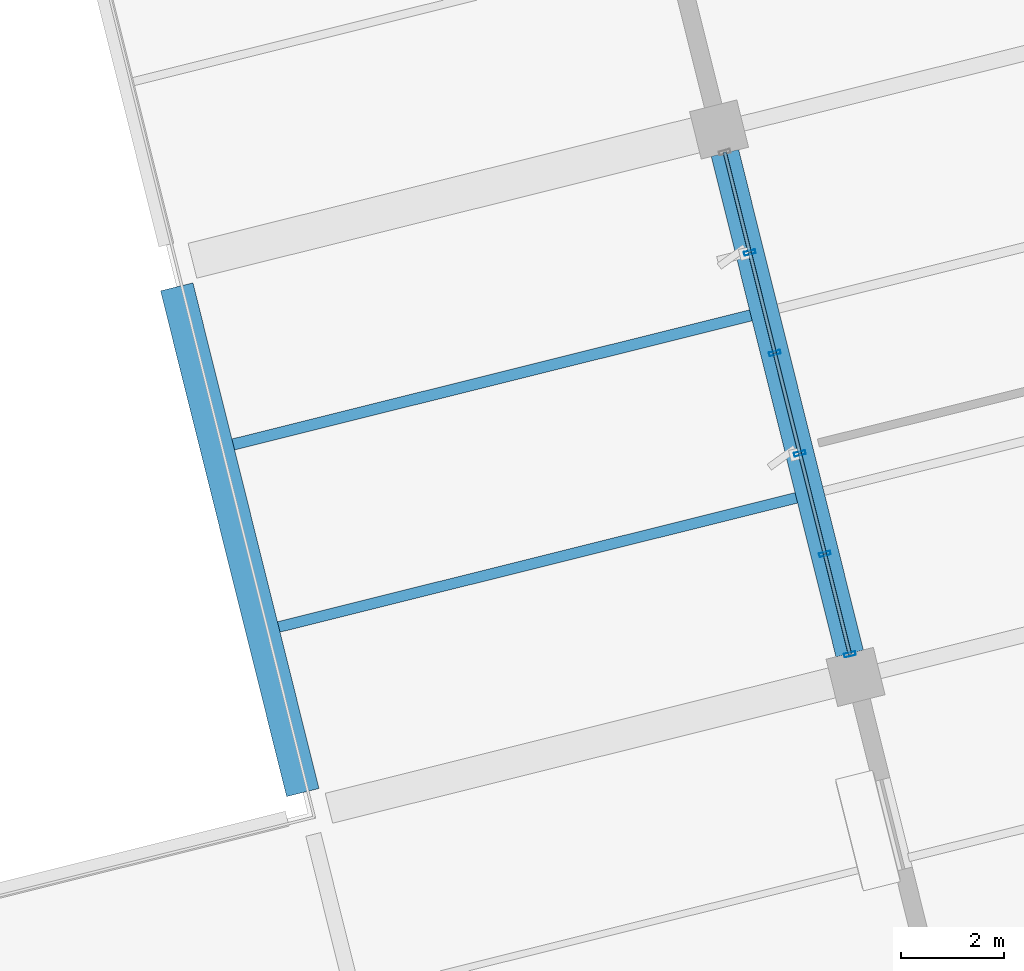
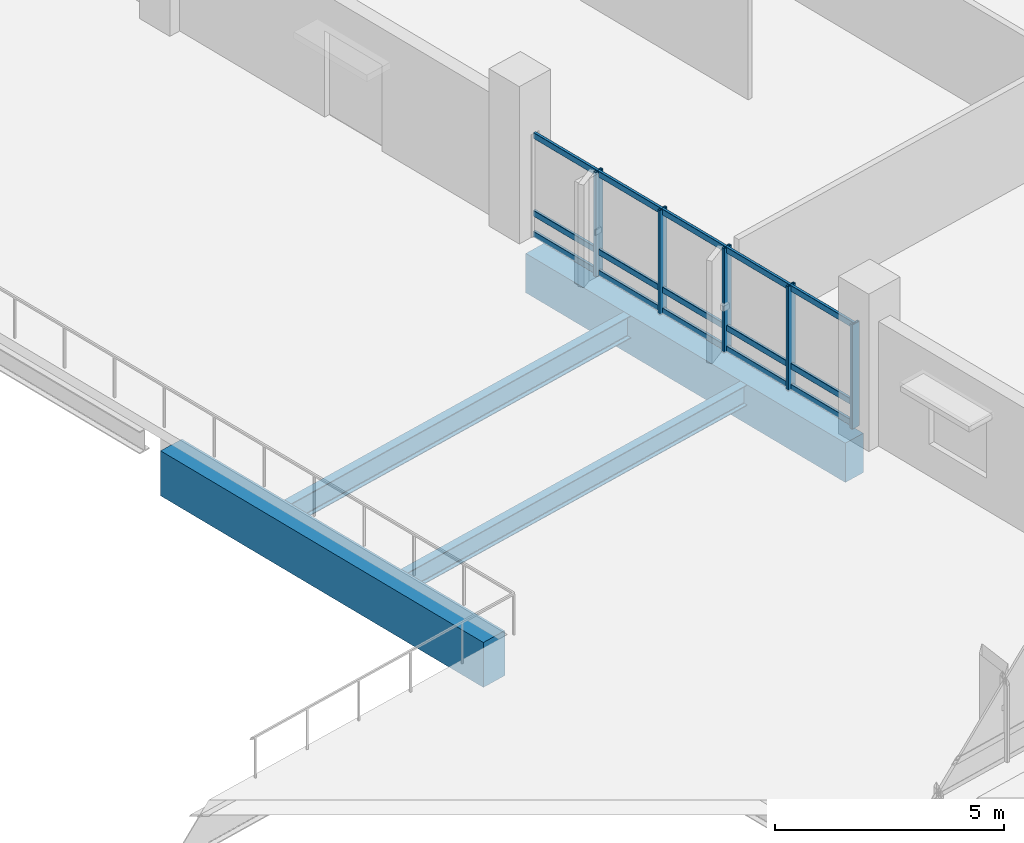
# One storey, part 27 of 75: 20 members, 4 beams, 1 element without a shape of its own.
"""IFC4 building model written with IfcOpenShell, lengths in metres."""

from ifc_helpers import new_model, si_unit, direction, frame, origin, origin_2d, place, context, subcontext, project, spatial, rectangle, hollow_rectangle, i_section, extrude, material, layer, layer_set, material_profile, profile_set, type_object, element, aggregate, save


model = new_model("IFC4")

# Units and contexts
model_context = context("Model", 3, precision=1e-05, world=origin(), true_north=direction((0.0, 1.0)))
body_context = subcontext(model_context, "Body", "Model", "MODEL_VIEW")
ifc_project = project(units=[si_unit("LENGTHUNIT", "METRE"), si_unit("AREAUNIT", "SQUARE_METRE"), si_unit("VOLUMEUNIT", "CUBIC_METRE"), si_unit("PLANEANGLEUNIT", "RADIAN"), si_unit("MASSUNIT", "GRAM", prefix="KILO")], contexts=[model_context])

# Site, building, storey
site_placement = place(None, origin())
site = spatial("IfcSite", under=ifc_project, at=site_placement, CompositionType="ELEMENT")
building_placement = place(site_placement, origin())
building = spatial("IfcBuilding", under=site, at=building_placement, Name="Khorjan Park Terminus", CompositionType="ELEMENT")
storey_placement = place(building_placement, frame((0.0, 0.0, 16.2)))
storey = spatial("IfcBuildingStorey", under=building, at=storey_placement, Name="L03", CompositionType="ELEMENT", Elevation=16.2)

# Beams
ifc_material_1 = material(Name="Concrete C40/50", Category="concrete")
ifc_material_profile_1 = material_profile(ifc_material_1, rectangle(XDim=0.55, YDim=1.05, at=origin_2d()), Name="RC 550x1050")
ifc_profile_set_1 = profile_set([ifc_material_profile_1], Name="Concrete C40/50")
beam_type_1 = type_object("IfcBeamType", Name="BM-RC550x1050", PredefinedType="BEAM", material=ifc_profile_set_1)
beam_1_placement = place(storey_placement, frame((189.9226, 42.4592, -0.875), z_axis=(-0.24191810525, 0.970296671309, 0.0), x_axis=(-0.970296671309, -0.24191810525, 0.0)))
element("IfcBeam", 1, at=beam_1_placement, inside=storey, type_object=beam_type_1, Name="Primary skew-grid floor girder GB-105 (L03)", PredefinedType="BEAM", context=body_context, shape_type="SweptSolid", body=[
    extrude(rectangle(XDim=0.55, YDim=1.05, at=origin_2d()), origin(), (0.0, 0.0, 1.0), 10.06),
])
ifc_material_profile_2 = material_profile(ifc_material_1, rectangle(XDim=0.65, YDim=1.2, at=origin_2d()), Name="RC 650x1200")
ifc_profile_set_2 = profile_set([ifc_material_profile_2], Name="Concrete C40/50")
beam_type_2 = type_object("IfcBeamType", Name="BM-RC650x1200", PredefinedType="BEAM", material=ifc_profile_set_2)
beam_2_placement = place(storey_placement, frame((179.2615, 39.7496, -0.87), z_axis=(-0.241928816007, 0.970294000798, 0.0), x_axis=(-0.970294000798, -0.241928816007, 0.0)))
element("IfcBeam", 2, at=beam_2_placement, inside=storey, type_object=beam_type_2, Name="Primary skew-grid floor girder GB-12 (L03)", PredefinedType="BEAM", context=body_context, shape_type="SweptSolid", body=[
    extrude(rectangle(XDim=0.65, YDim=1.2, at=origin_2d()), origin(), (0.0, 0.0, 1.0), 10.16),
])
ifc_material_2 = material(Name="Steel S355", Category="steel")
ifc_material_profile_3 = material_profile(ifc_material_2, i_section(OverallWidth=0.21, OverallDepth=0.55, WebThickness=0.0111, FlangeThickness=0.0172, FilletRadius=0.024, at=origin_2d()), Name="IPE 550")
ifc_profile_set_3 = profile_set([ifc_material_profile_3], Name="Steel S355")
beam_type_3 = type_object("IfcBeamType", Name="JS-IPE550", PredefinedType="JOIST", material=ifc_profile_set_3)
beam_3_placement = place(storey_placement, frame((178.7914, 42.9784, -0.625), z_axis=(0.970295586552, 0.241922456002, 0.0), x_axis=(-0.241922456002, 0.970295586552, 0.0)))
element("IfcBeam", 3, at=beam_3_placement, inside=storey, type_object=beam_type_3, Name="Secondary composite floor joist SJ-55 (L03)", PredefinedType="JOIST", context=body_context, shape_type="SweptSolid", body=[
    extrude(i_section(OverallWidth=0.21, OverallDepth=0.55, WebThickness=0.0111, FlangeThickness=0.0172, FilletRadius=0.024, at=origin_2d()), origin(), (0.0, 0.0, 1.0), 10.4),
])
ifc_material_profile_4 = material_profile(ifc_material_2, i_section(OverallWidth=0.22, OverallDepth=0.6, WebThickness=0.012, FlangeThickness=0.019, FilletRadius=0.024, at=origin_2d()), Name="IPE 600")
ifc_profile_set_4 = profile_set([ifc_material_profile_4], Name="Steel S355")
beam_type_4 = type_object("IfcBeamType", Name="JS-IPE600", PredefinedType="JOIST", material=ifc_profile_set_4)
beam_4_placement = place(storey_placement, frame((177.9043, 46.5361, -0.65), z_axis=(0.970295586552, 0.241922456002, 0.0), x_axis=(-0.241922456002, 0.970295586552, 0.0)))
element("IfcBeam", 4, at=beam_4_placement, inside=storey, type_object=beam_type_4, Name="Secondary composite floor joist SJ-60 (L03)", PredefinedType="JOIST", context=body_context, shape_type="SweptSolid", body=[
    extrude(i_section(OverallWidth=0.22, OverallDepth=0.6, WebThickness=0.012, FlangeThickness=0.019, FilletRadius=0.024, at=origin_2d()), origin(), (0.0, 0.0, 1.0), 10.4),
])

# Curtain wall, members
ifc_material_3 = material(Name="Anodized Bronze Aluminium", Category="aluminium")
ifc_layer = layer(ifc_material_3, 0.22)
ifc_layer_set = layer_set([ifc_layer], Name="Anodized Bronze Aluminium")
curtain_wall_type = type_object("IfcCurtainWallType", Name="CW-OPS-B", PredefinedType="NOTDEFINED", material=ifc_layer_set)
curtain_wall_placement = place(storey_placement, origin())
curtain_wall = element("IfcCurtainWall", 5, at=curtain_wall_placement, inside=storey, type_object=curtain_wall_type, Name="Unitized curtain wall CW-B (CW-V5-NW1-L03-B03)", PredefinedType="NOTDEFINED")
ifc_material_profile_5 = material_profile(ifc_material_3, hollow_rectangle(XDim=0.075, YDim=0.225, WallThickness=0.005, InnerFilletRadius=0.005, OuterFilletRadius=0.01, at=origin_2d()), Name="ALM 75x225x5")
ifc_profile_set_5 = profile_set([ifc_material_profile_5], Name="Anodized Bronze Aluminium")
member_type_1 = type_object("IfcMemberType", Name="ML-ALM-225", PredefinedType="MULLION", material=ifc_profile_set_5)
member_1_placement = place(storey_placement, frame((187.9736, 50.2766, -0.035), z_axis=(0.0, 0.0, 1.0), x_axis=(0.241919922282, -0.970296218277, 0.0)))
member_1 = element("IfcMember", 6, at=member_1_placement, type_object=member_type_1, Name="Curtain-wall mullion ML-22 (CW-V5-NW1-L03-B03-1)", PredefinedType="MULLION", context=body_context, shape_type="SweptSolid", body=[
    extrude(hollow_rectangle(XDim=0.075, YDim=0.225, WallThickness=0.005, InnerFilletRadius=0.005, OuterFilletRadius=0.01, at=origin_2d()), origin(), (0.0, 0.0, 1.0), 2.785),
])
member_2_placement = place(storey_placement, frame((188.4618, 48.3186, -0.035), z_axis=(0.0, 0.0, 1.0), x_axis=(0.241919922282, -0.970296218277, 0.0)))
member_2 = element("IfcMember", 7, at=member_2_placement, type_object=member_type_1, Name="Curtain-wall mullion ML-22 (CW-V5-NW1-L03-B03-2)", PredefinedType="MULLION", context=body_context, shape_type="SweptSolid", body=[
    extrude(hollow_rectangle(XDim=0.075, YDim=0.225, WallThickness=0.005, InnerFilletRadius=0.005, OuterFilletRadius=0.01, at=origin_2d()), origin(), (0.0, 0.0, 1.0), 2.785),
])
member_3_placement = place(storey_placement, frame((188.9499, 46.3606, -0.035), z_axis=(0.0, 0.0, 1.0), x_axis=(0.241919922282, -0.970296218277, 0.0)))
member_3 = element("IfcMember", 8, at=member_3_placement, type_object=member_type_1, Name="Curtain-wall mullion ML-22 (CW-V5-NW1-L03-B03-3)", PredefinedType="MULLION", context=body_context, shape_type="SweptSolid", body=[
    extrude(hollow_rectangle(XDim=0.075, YDim=0.225, WallThickness=0.005, InnerFilletRadius=0.005, OuterFilletRadius=0.01, at=origin_2d()), origin(), (0.0, 0.0, 1.0), 2.785),
])
member_4_placement = place(storey_placement, frame((189.4381, 44.4026, -0.035), z_axis=(0.0, 0.0, 1.0), x_axis=(0.241919922282, -0.970296218277, 0.0)))
member_4 = element("IfcMember", 9, at=member_4_placement, type_object=member_type_1, Name="Curtain-wall mullion ML-22 (CW-V5-NW1-L03-B03-4)", PredefinedType="MULLION", context=body_context, shape_type="SweptSolid", body=[
    extrude(hollow_rectangle(XDim=0.075, YDim=0.225, WallThickness=0.005, InnerFilletRadius=0.005, OuterFilletRadius=0.01, at=origin_2d()), origin(), (0.0, 0.0, 1.0), 2.785),
])
member_5_placement = place(storey_placement, frame((189.9263, 42.4446, -0.035), z_axis=(0.0, 0.0, 1.0), x_axis=(0.241919922282, -0.970296218277, 0.0)))
member_5 = element("IfcMember", 10, at=member_5_placement, type_object=member_type_1, Name="Curtain-wall mullion ML-22 (CW-V5-NW1-L03-B03-5)", PredefinedType="MULLION", context=body_context, shape_type="SweptSolid", body=[
    extrude(hollow_rectangle(XDim=0.075, YDim=0.225, WallThickness=0.005, InnerFilletRadius=0.005, OuterFilletRadius=0.01, at=origin_2d()), origin(), (0.0, 0.0, 1.0), 2.785),
])
ifc_material_profile_6 = material_profile(ifc_material_3, hollow_rectangle(XDim=0.07, YDim=0.16, WallThickness=0.004, InnerFilletRadius=0.004, OuterFilletRadius=0.008, at=origin_2d()), Name="ALT 70x160x4")
ifc_profile_set_6 = profile_set([ifc_material_profile_6], Name="Anodized Bronze Aluminium")
member_type_2 = type_object("IfcMemberType", Name="TR-ALT-160", PredefinedType="USERDEFINED", material=ifc_profile_set_6)
member_6_placement = place(storey_placement, frame((187.4854, 52.2346, 0.04), z_axis=(0.241929253299, -0.970293891766, 0.0), x_axis=(0.970293891766, 0.241929253299, 0.0)))
member_6 = element("IfcMember", 11, at=member_6_placement, type_object=member_type_2, Name="Curtain-wall transom TR-16 (CW-V5-NW1-L03-B03-0-1)", ObjectType="TRANSOM", PredefinedType="USERDEFINED", context=body_context, shape_type="SweptSolid", body=[
    extrude(hollow_rectangle(XDim=0.07, YDim=0.16, WallThickness=0.004, InnerFilletRadius=0.004, OuterFilletRadius=0.008, at=origin_2d()), origin(), (0.0, 0.0, 1.0), 2.0179),
])
member_7_placement = place(storey_placement, frame((187.4854, 52.2346, 0.597), z_axis=(0.241929253299, -0.970293891766, 0.0), x_axis=(0.970293891766, 0.241929253299, 0.0)))
member_7 = element("IfcMember", 12, at=member_7_placement, type_object=member_type_2, Name="Curtain-wall transom TR-16 (CW-V5-NW1-L03-B03-0-2)", ObjectType="TRANSOM", PredefinedType="USERDEFINED", context=body_context, shape_type="SweptSolid", body=[
    extrude(hollow_rectangle(XDim=0.07, YDim=0.16, WallThickness=0.004, InnerFilletRadius=0.004, OuterFilletRadius=0.008, at=origin_2d()), origin(), (0.0, 0.0, 1.0), 2.0179),
])
member_8_placement = place(storey_placement, frame((187.4854, 52.2346, 2.675), z_axis=(0.241929253299, -0.970293891766, 0.0), x_axis=(0.970293891766, 0.241929253299, 0.0)))
member_8 = element("IfcMember", 13, at=member_8_placement, type_object=member_type_2, Name="Curtain-wall transom TR-16 (CW-V5-NW1-L03-B03-0-3)", ObjectType="TRANSOM", PredefinedType="USERDEFINED", context=body_context, shape_type="SweptSolid", body=[
    extrude(hollow_rectangle(XDim=0.07, YDim=0.16, WallThickness=0.004, InnerFilletRadius=0.004, OuterFilletRadius=0.008, at=origin_2d()), origin(), (0.0, 0.0, 1.0), 2.0179),
])
member_9_placement = place(storey_placement, frame((187.9736, 50.2766, 0.04), z_axis=(0.241929253299, -0.970293891766, 0.0), x_axis=(0.970293891766, 0.241929253299, 0.0)))
member_9 = element("IfcMember", 14, at=member_9_placement, type_object=member_type_2, Name="Curtain-wall transom TR-16 (CW-V5-NW1-L03-B03-1-1)", ObjectType="TRANSOM", PredefinedType="USERDEFINED", context=body_context, shape_type="SweptSolid", body=[
    extrude(hollow_rectangle(XDim=0.07, YDim=0.16, WallThickness=0.004, InnerFilletRadius=0.004, OuterFilletRadius=0.008, at=origin_2d()), origin(), (0.0, 0.0, 1.0), 2.0179),
])
member_10_placement = place(storey_placement, frame((187.9736, 50.2766, 0.597), z_axis=(0.241929253299, -0.970293891766, 0.0), x_axis=(0.970293891766, 0.241929253299, 0.0)))
member_10 = element("IfcMember", 15, at=member_10_placement, type_object=member_type_2, Name="Curtain-wall transom TR-16 (CW-V5-NW1-L03-B03-1-2)", ObjectType="TRANSOM", PredefinedType="USERDEFINED", context=body_context, shape_type="SweptSolid", body=[
    extrude(hollow_rectangle(XDim=0.07, YDim=0.16, WallThickness=0.004, InnerFilletRadius=0.004, OuterFilletRadius=0.008, at=origin_2d()), origin(), (0.0, 0.0, 1.0), 2.0179),
])
member_11_placement = place(storey_placement, frame((187.9736, 50.2766, 2.675), z_axis=(0.241929253299, -0.970293891766, 0.0), x_axis=(0.970293891766, 0.241929253299, 0.0)))
member_11 = element("IfcMember", 16, at=member_11_placement, type_object=member_type_2, Name="Curtain-wall transom TR-16 (CW-V5-NW1-L03-B03-1-3)", ObjectType="TRANSOM", PredefinedType="USERDEFINED", context=body_context, shape_type="SweptSolid", body=[
    extrude(hollow_rectangle(XDim=0.07, YDim=0.16, WallThickness=0.004, InnerFilletRadius=0.004, OuterFilletRadius=0.008, at=origin_2d()), origin(), (0.0, 0.0, 1.0), 2.0179),
])
member_12_placement = place(storey_placement, frame((188.4618, 48.3186, 0.04), z_axis=(0.241882597567, -0.970305523531, 0.0), x_axis=(0.970305523531, 0.241882597567, 0.0)))
member_12 = element("IfcMember", 17, at=member_12_placement, type_object=member_type_2, Name="Curtain-wall transom TR-16 (CW-V5-NW1-L03-B03-2-1)", ObjectType="TRANSOM", PredefinedType="USERDEFINED", context=body_context, shape_type="SweptSolid", body=[
    extrude(hollow_rectangle(XDim=0.07, YDim=0.16, WallThickness=0.004, InnerFilletRadius=0.004, OuterFilletRadius=0.008, at=origin_2d()), origin(), (0.0, 0.0, 1.0), 2.0179),
])
member_13_placement = place(storey_placement, frame((188.4618, 48.3186, 0.597), z_axis=(0.241882597567, -0.970305523531, 0.0), x_axis=(0.970305523531, 0.241882597567, 0.0)))
member_13 = element("IfcMember", 18, at=member_13_placement, type_object=member_type_2, Name="Curtain-wall transom TR-16 (CW-V5-NW1-L03-B03-2-2)", ObjectType="TRANSOM", PredefinedType="USERDEFINED", context=body_context, shape_type="SweptSolid", body=[
    extrude(hollow_rectangle(XDim=0.07, YDim=0.16, WallThickness=0.004, InnerFilletRadius=0.004, OuterFilletRadius=0.008, at=origin_2d()), origin(), (0.0, 0.0, 1.0), 2.0179),
])
member_14_placement = place(storey_placement, frame((188.4618, 48.3186, 2.675), z_axis=(0.241882597567, -0.970305523531, 0.0), x_axis=(0.970305523531, 0.241882597567, 0.0)))
member_14 = element("IfcMember", 19, at=member_14_placement, type_object=member_type_2, Name="Curtain-wall transom TR-16 (CW-V5-NW1-L03-B03-2-3)", ObjectType="TRANSOM", PredefinedType="USERDEFINED", context=body_context, shape_type="SweptSolid", body=[
    extrude(hollow_rectangle(XDim=0.07, YDim=0.16, WallThickness=0.004, InnerFilletRadius=0.004, OuterFilletRadius=0.008, at=origin_2d()), origin(), (0.0, 0.0, 1.0), 2.0179),
])
member_15_placement = place(storey_placement, frame((188.9499, 46.3606, 0.04), z_axis=(0.241929253299, -0.970293891766, 0.0), x_axis=(0.970293891766, 0.241929253299, 0.0)))
member_15 = element("IfcMember", 20, at=member_15_placement, type_object=member_type_2, Name="Curtain-wall transom TR-16 (CW-V5-NW1-L03-B03-3-1)", ObjectType="TRANSOM", PredefinedType="USERDEFINED", context=body_context, shape_type="SweptSolid", body=[
    extrude(hollow_rectangle(XDim=0.07, YDim=0.16, WallThickness=0.004, InnerFilletRadius=0.004, OuterFilletRadius=0.008, at=origin_2d()), origin(), (0.0, 0.0, 1.0), 2.0179),
])
member_16_placement = place(storey_placement, frame((188.9499, 46.3606, 0.597), z_axis=(0.241929253299, -0.970293891766, 0.0), x_axis=(0.970293891766, 0.241929253299, 0.0)))
member_16 = element("IfcMember", 21, at=member_16_placement, type_object=member_type_2, Name="Curtain-wall transom TR-16 (CW-V5-NW1-L03-B03-3-2)", ObjectType="TRANSOM", PredefinedType="USERDEFINED", context=body_context, shape_type="SweptSolid", body=[
    extrude(hollow_rectangle(XDim=0.07, YDim=0.16, WallThickness=0.004, InnerFilletRadius=0.004, OuterFilletRadius=0.008, at=origin_2d()), origin(), (0.0, 0.0, 1.0), 2.0179),
])
member_17_placement = place(storey_placement, frame((188.9499, 46.3606, 2.675), z_axis=(0.241929253299, -0.970293891766, 0.0), x_axis=(0.970293891766, 0.241929253299, 0.0)))
member_17 = element("IfcMember", 22, at=member_17_placement, type_object=member_type_2, Name="Curtain-wall transom TR-16 (CW-V5-NW1-L03-B03-3-3)", ObjectType="TRANSOM", PredefinedType="USERDEFINED", context=body_context, shape_type="SweptSolid", body=[
    extrude(hollow_rectangle(XDim=0.07, YDim=0.16, WallThickness=0.004, InnerFilletRadius=0.004, OuterFilletRadius=0.008, at=origin_2d()), origin(), (0.0, 0.0, 1.0), 2.0179),
])
member_18_placement = place(storey_placement, frame((189.4381, 44.4026, 0.04), z_axis=(0.241929253299, -0.970293891766, 0.0), x_axis=(0.970293891766, 0.241929253299, 0.0)))
member_18 = element("IfcMember", 23, at=member_18_placement, type_object=member_type_2, Name="Curtain-wall transom TR-16 (CW-V5-NW1-L03-B03-4-1)", ObjectType="TRANSOM", PredefinedType="USERDEFINED", context=body_context, shape_type="SweptSolid", body=[
    extrude(hollow_rectangle(XDim=0.07, YDim=0.16, WallThickness=0.004, InnerFilletRadius=0.004, OuterFilletRadius=0.008, at=origin_2d()), origin(), (0.0, 0.0, 1.0), 2.0179),
])
member_19_placement = place(storey_placement, frame((189.4381, 44.4026, 0.597), z_axis=(0.241929253299, -0.970293891766, 0.0), x_axis=(0.970293891766, 0.241929253299, 0.0)))
member_19 = element("IfcMember", 24, at=member_19_placement, type_object=member_type_2, Name="Curtain-wall transom TR-16 (CW-V5-NW1-L03-B03-4-2)", ObjectType="TRANSOM", PredefinedType="USERDEFINED", context=body_context, shape_type="SweptSolid", body=[
    extrude(hollow_rectangle(XDim=0.07, YDim=0.16, WallThickness=0.004, InnerFilletRadius=0.004, OuterFilletRadius=0.008, at=origin_2d()), origin(), (0.0, 0.0, 1.0), 2.0179),
])
member_20_placement = place(storey_placement, frame((189.4381, 44.4026, 2.675), z_axis=(0.241929253299, -0.970293891766, 0.0), x_axis=(0.970293891766, 0.241929253299, 0.0)))
member_20 = element("IfcMember", 25, at=member_20_placement, type_object=member_type_2, Name="Curtain-wall transom TR-16 (CW-V5-NW1-L03-B03-4-3)", ObjectType="TRANSOM", PredefinedType="USERDEFINED", context=body_context, shape_type="SweptSolid", body=[
    extrude(hollow_rectangle(XDim=0.07, YDim=0.16, WallThickness=0.004, InnerFilletRadius=0.004, OuterFilletRadius=0.008, at=origin_2d()), origin(), (0.0, 0.0, 1.0), 2.0179),
])
aggregate(curtain_wall, [member_1, member_2, member_3, member_4, member_5, member_6, member_7, member_8, member_9, member_10, member_11, member_12, member_13, member_14, member_15, member_16, member_17, member_18, member_19, member_20])

save(model, "model.ifc")
